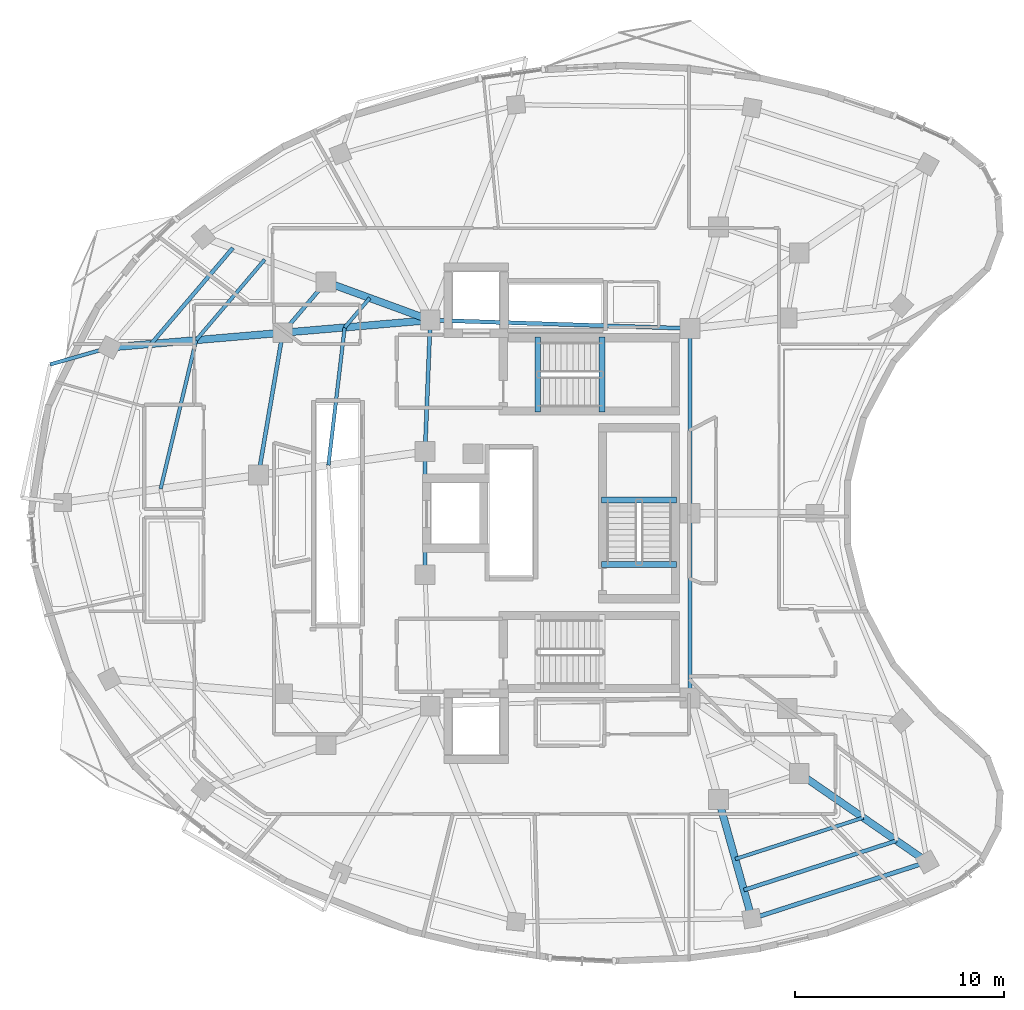
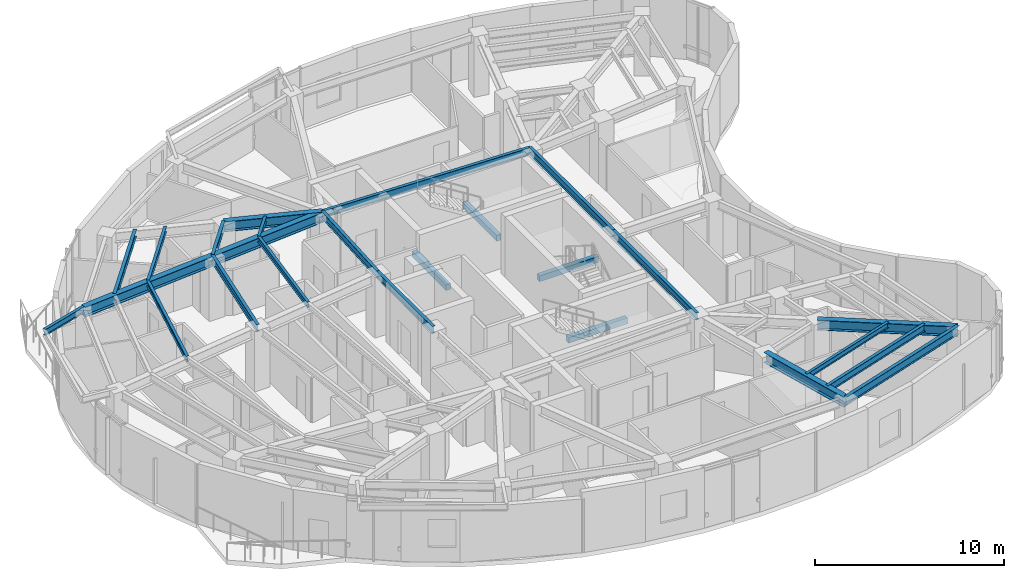
# One storey, part 3 of 14: 25 beams.
"""IFC4 building model written with IfcOpenShell, lengths in metres."""

from ifc_helpers import new_model, si_unit, direction, frame, origin, origin_2d, place, context, subcontext, project, spatial, rectangle, i_section, extrude, material, material_profile, profile_set, type_object, element, save


model = new_model("IFC4")

# Units and contexts
model_context = context("Model", 3, precision=1e-05, world=origin(), true_north=direction((0.0, 1.0)))
body_context = subcontext(model_context, "Body", "Model", "MODEL_VIEW")
ifc_project = project(units=[si_unit("LENGTHUNIT", "METRE"), si_unit("AREAUNIT", "SQUARE_METRE"), si_unit("VOLUMEUNIT", "CUBIC_METRE"), si_unit("PLANEANGLEUNIT", "RADIAN"), si_unit("MASSUNIT", "GRAM", prefix="KILO")], contexts=[model_context])

# Site, building, storey
site_placement = place(None, origin())
site = spatial("IfcSite", under=ifc_project, at=site_placement, CompositionType="ELEMENT")
building_placement = place(site_placement, origin())
building = spatial("IfcBuilding", under=site, at=building_placement, Name="Korentha Bioscience Tower", CompositionType="ELEMENT")
storey_placement = place(building_placement, frame((0.0, 0.0, 252.0)))
storey = spatial("IfcBuildingStorey", under=building, at=storey_placement, Name="L58", CompositionType="ELEMENT", Elevation=252.0)

# Beams
ifc_material_1 = material(Name="Concrete C50", Category="concrete")
ifc_material_profile_1 = material_profile(ifc_material_1, rectangle(XDim=0.280029296875, YDim=0.3798828125, at=origin_2d()), Name="Concrete C50")
ifc_profile_set_1 = profile_set([ifc_material_profile_1], Name="Concrete C50 (ST-HB380)")
beam_type_1 = type_object("IfcBeamType", Name="Concrete Stair Header Beam RC 280x380", PredefinedType="BEAM", material=ifc_profile_set_1)
for number, where, z_axis, x_axis, name in (
    (1, (30.25, 31.85009765625, -0.18994140625), (0.0, 1.0, 0.0), (-1.0, 0.0, 0.0), "L58 ST-1 Concrete Stair Header Beam"),
    (2, (33.330078125, 31.85009765625, 1.909912109375), (0.0, 1.0, 0.0), (-1.0, 0.0, 0.0), "L58 ST-1 Half-Landing Header Beam 1"),
    (3, (36.89990234375, 24.550048828125, -0.18994140625), (-1.0, 0.0, 0.0), (0.0, -1.0, 0.0), "L58 ST-3 Concrete Stair Header Beam"),
    (4, (36.89990234375, 27.6298828125, 1.909912109375), (-1.0, 0.0, 0.0), (0.0, -1.0, 0.0), "L58 ST-3 Half-Landing Header Beam 1"),
):
    element("IfcBeam", number, at=place(storey_placement, frame(where, z_axis=z_axis, x_axis=x_axis)), inside=storey, type_object=beam_type_1, Name=name, PredefinedType="BEAM", context=body_context, shape_type="SweptSolid", body=[
        extrude(rectangle(XDim=0.280029296875, YDim=0.3798828125, at=origin_2d()), origin(), (0.0, 0.0, 1.0), 3.599853515625),
    ])
ifc_material_2 = material(Name="Steel S355", Category="steel")
ifc_material_profile_2 = material_profile(ifc_material_2, i_section(OverallWidth=0.18994140625, OverallDepth=0.45703125, WebThickness=0.009033203125, FlangeThickness=0.014404296875, at=origin_2d()), Name="Steel S355")
ifc_profile_set_2 = profile_set([ifc_material_profile_2], Name="Steel S355 (MB-460)")
beam_type_2 = type_object("IfcBeamType", Name="Mid-Ring Tie Girder W460x74", PredefinedType="BEAM", material=ifc_profile_set_2)
beam_1_placement = place(storey_placement, frame((20.102294921875, 38.07861328125, 3.67138671875), z_axis=(-0.648477940418, -0.761233446974, 0.0), x_axis=(0.761233446974, -0.648477940418, 0.0)))
element("IfcBeam", 5, at=beam_1_placement, inside=storey, type_object=beam_type_2, Name="L58 Mid-Ring Tie Girder 05", PredefinedType="BEAM", context=body_context, shape_type="SweptSolid", body=[
    extrude(i_section(OverallWidth=0.18994140625, OverallDepth=0.45703125, WebThickness=0.009033203125, FlangeThickness=0.014404296875, at=origin_2d()), origin(), (0.0, 0.0, 1.0), 3.193603515625),
])
beam_2_placement = place(storey_placement, frame((18.03125, 35.6474609375, 3.67138671875), z_axis=(-0.168147535946, -0.985761840484, 0.0), x_axis=(0.985761840484, -0.168147535946, 0.0)))
element("IfcBeam", 6, at=beam_2_placement, inside=storey, type_object=beam_type_2, Name="L58 Mid-Ring Tie Girder 06", PredefinedType="BEAM", context=body_context, shape_type="SweptSolid", body=[
    extrude(i_section(OverallWidth=0.18994140625, OverallDepth=0.45703125, WebThickness=0.009033203125, FlangeThickness=0.014404296875, at=origin_2d()), origin(), (0.0, 0.0, 1.0), 6.91552734375),
])
beam_3_placement = place(storey_placement, frame((37.550048828125, 35.85009765625, 3.67138671875), z_axis=(-0.999484526071, 0.032104238723, 0.0), x_axis=(-0.032104238723, -0.999484526071, 0.0)))
element("IfcBeam", 7, at=beam_3_placement, inside=storey, type_object=beam_type_2, Name="L58 Core Ring Tie Girder 01", PredefinedType="BEAM", context=body_context, shape_type="SweptSolid", body=[
    extrude(i_section(OverallWidth=0.18994140625, OverallDepth=0.45703125, WebThickness=0.009033203125, FlangeThickness=0.014404296875, at=origin_2d()), origin(), (0.0, 0.0, 1.0), 12.456298828125),
])
beam_4_placement = place(storey_placement, frame((25.10009765625, 36.25, 3.67138671875), z_axis=(-0.039651025576, -0.999213588864, 0.0), x_axis=(0.999213588864, -0.039651025576, 0.0)))
element("IfcBeam", 8, at=beam_4_placement, inside=storey, type_object=beam_type_2, Name="L58 Core Ring Tie Girder 02", PredefinedType="BEAM", context=body_context, shape_type="SweptSolid", body=[
    extrude(i_section(OverallWidth=0.18994140625, OverallDepth=0.45703125, WebThickness=0.009033203125, FlangeThickness=0.014404296875, at=origin_2d()), origin(), (0.0, 0.0, 1.0), 6.304931640625),
])
beam_5_placement = place(storey_placement, frame((24.85009765625, 29.949951171875, 3.67138671875), z_axis=(0.0, -1.0, 0.0), x_axis=(1.0, 0.0, 0.0)))
element("IfcBeam", 9, at=beam_5_placement, inside=storey, type_object=beam_type_2, Name="L58 Core Ring Tie Girder 03", PredefinedType="BEAM", context=body_context, shape_type="SweptSolid", body=[
    extrude(i_section(OverallWidth=0.18994140625, OverallDepth=0.45703125, WebThickness=0.009033203125, FlangeThickness=0.014404296875, at=origin_2d()), origin(), (0.0, 0.0, 1.0), 5.89990234375),
])
for number, where, z_axis, x_axis, name in (
    (10, (37.550048828125, 18.14990234375, 3.67138671875), (0.0, 1.0, 0.0), (-1.0, 0.0, 0.0), "L58 Core Ring Tie Girder 06"),
    (11, (37.550048828125, 27.0, 3.67138671875), (0.0, 1.0, 0.0), (-1.0, 0.0, 0.0), "L58 Core Ring Tie Girder 07"),
):
    element("IfcBeam", number, at=place(storey_placement, frame(where, z_axis=z_axis, x_axis=x_axis)), inside=storey, type_object=beam_type_2, Name=name, PredefinedType="BEAM", context=body_context, shape_type="SweptSolid", body=[
        extrude(i_section(OverallWidth=0.18994140625, OverallDepth=0.45703125, WebThickness=0.009033203125, FlangeThickness=0.014404296875, at=origin_2d()), origin(), (0.0, 0.0, 1.0), 8.85009765625),
    ])
ifc_material_profile_3 = material_profile(ifc_material_2, i_section(OverallWidth=0.208984375, OverallDepth=0.532958984375, WebThickness=0.01025390625, FlangeThickness=0.015625, at=origin_2d()), Name="Steel S355")
ifc_profile_set_3 = profile_set([ifc_material_profile_3], Name="Steel S355 (SB-530)")
beam_type_3 = type_object("IfcBeamType", Name="Perimeter Ring Spandrel Girder W530x92", PredefinedType="SPANDREL", material=ifc_profile_set_3)
beam_6_placement = place(storey_placement, frame((40.5087890625, 7.576171875, 3.633544921875), z_axis=(0.951540431246, 0.307523670151, 0.0), x_axis=(-0.307523670151, 0.951540431246, 0.0)))
element("IfcBeam", 12, at=beam_6_placement, inside=storey, type_object=beam_type_3, Name="L58 Perimeter Spandrel Girder 12", PredefinedType="SPANDREL", context=body_context, shape_type="SweptSolid", body=[
    extrude(i_section(OverallWidth=0.208984375, OverallDepth=0.532958984375, WebThickness=0.01025390625, FlangeThickness=0.015625, at=origin_2d()), origin(), (0.0, 0.0, 1.0), 8.83203125),
])
ifc_material_profile_4 = material_profile(ifc_material_2, i_section(OverallWidth=0.18994140625, OverallDepth=0.45703125, WebThickness=0.009033203125, FlangeThickness=0.014404296875, at=origin_2d()), Name="Steel S355")
ifc_profile_set_4 = profile_set([ifc_material_profile_4], Name="Steel S355 (RB-460)")
beam_type_4 = type_object("IfcBeamType", Name="Radial Laboratory Beam W460x74", PredefinedType="BEAM", material=ifc_profile_set_4)
beam_7_placement = place(storey_placement, frame((15.643310546875, 39.710205078125, 3.67138671875), z_axis=(-0.64841269497, -0.761289023303, 0.0), x_axis=(0.761289023303, -0.64841269497, 0.0)))
element("IfcBeam", 13, at=beam_7_placement, inside=storey, type_object=beam_type_4, Name="L58 Secondary Floor Beam JSTO-05", PredefinedType="BEAM", context=body_context, shape_type="SweptSolid", body=[
    extrude(i_section(OverallWidth=0.18994140625, OverallDepth=0.45703125, WebThickness=0.009033203125, FlangeThickness=0.014404296875, at=origin_2d()), origin(), (0.0, 0.0, 1.0), 6.043212890625),
])
beam_8_placement = place(storey_placement, frame((40.12548828125, 8.946533203125, 3.67138671875), z_axis=(0.951530655781, 0.307553915777, 0.0), x_axis=(-0.307553915777, 0.951530655781, 0.0)))
element("IfcBeam", 14, at=beam_8_placement, inside=storey, type_object=beam_type_4, Name="L58 Secondary Floor Beam JSTO-12", PredefinedType="BEAM", context=body_context, shape_type="SweptSolid", body=[
    extrude(i_section(OverallWidth=0.18994140625, OverallDepth=0.45703125, WebThickness=0.009033203125, FlangeThickness=0.014404296875, at=origin_2d()), origin(), (0.0, 0.0, 1.0), 7.687255859375),
])
ifc_material_profile_5 = material_profile(ifc_material_2, i_section(OverallWidth=0.35009765625, OverallDepth=0.64990234375, WebThickness=0.01611328125, FlangeThickness=0.02490234375, at=origin_2d()), Name="Steel S355")
ifc_profile_set_5 = profile_set([ifc_material_profile_5], Name="Steel S355 (RB-650)")
beam_type_5 = type_object("IfcBeamType", Name="Radial Laboratory Girder CVS 650x208", PredefinedType="BEAM", material=ifc_profile_set_5)
beam_9_placement = place(storey_placement, frame((25.10009765625, 36.25, 3.574951171875), z_axis=(-0.939113825958, 0.34360620177, 0.0), x_axis=(-0.34360620177, -0.939113825958, 0.0)))
element("IfcBeam", 15, at=beam_9_placement, inside=storey, type_object=beam_type_5, Name="L58 Inner Radial Girder 05", PredefinedType="BEAM", context=body_context, shape_type="SweptSolid", body=[
    extrude(i_section(OverallWidth=0.35009765625, OverallDepth=0.64990234375, WebThickness=0.01611328125, FlangeThickness=0.02490234375, at=origin_2d()), origin(), (0.0, 0.0, 1.0), 5.32177734375),
])
beam_10_placement = place(storey_placement, frame((25.10009765625, 36.25, 3.574951171875), z_axis=(-0.996386862802, -0.084930675464, 0.0), x_axis=(0.084930675464, -0.996386862802, 0.0)))
element("IfcBeam", 16, at=beam_10_placement, inside=storey, type_object=beam_type_5, Name="L58 Inner Radial Girder 06", PredefinedType="BEAM", context=body_context, shape_type="SweptSolid", body=[
    extrude(i_section(OverallWidth=0.35009765625, OverallDepth=0.64990234375, WebThickness=0.01611328125, FlangeThickness=0.02490234375, at=origin_2d()), origin(), (0.0, 0.0, 1.0), 7.094482421875),
])
beam_11_placement = place(storey_placement, frame((18.03125, 35.6474609375, 3.574951171875), z_axis=(-0.996384608351, -0.084957120013, 0.0), x_axis=(0.084957120013, -0.996384608351, 0.0)))
element("IfcBeam", 17, at=beam_11_placement, inside=storey, type_object=beam_type_5, Name="L58 Outer Radial Girder 06", PredefinedType="BEAM", context=body_context, shape_type="SweptSolid", body=[
    extrude(i_section(OverallWidth=0.35009765625, OverallDepth=0.64990234375, WebThickness=0.01611328125, FlangeThickness=0.02490234375, at=origin_2d()), origin(), (0.0, 0.0, 1.0), 8.327880859375),
])
beam_12_placement = place(storey_placement, frame((38.9111328125, 13.285888671875, 3.574951171875), z_axis=(0.269463441067, -0.963010619842, 0.0), x_axis=(0.963010619842, 0.269463441067, 0.0)))
element("IfcBeam", 18, at=beam_12_placement, inside=storey, type_object=beam_type_5, Name="L58 Outer Radial Girder 12", PredefinedType="BEAM", context=body_context, shape_type="SweptSolid", body=[
    extrude(i_section(OverallWidth=0.35009765625, OverallDepth=0.64990234375, WebThickness=0.01611328125, FlangeThickness=0.02490234375, at=origin_2d()), origin(), (0.0, 0.0, 1.0), 5.928955078125),
])
beam_13_placement = place(storey_placement, frame((42.77685546875, 14.535400390625, 3.574951171875), z_axis=(0.822494853441, -0.568772552135, 0.0), x_axis=(0.568772552135, 0.822494853441, 0.0)))
element("IfcBeam", 19, at=beam_13_placement, inside=storey, type_object=beam_type_5, Name="L58 Outer Radial Girder 13", PredefinedType="BEAM", context=body_context, shape_type="SweptSolid", body=[
    extrude(i_section(OverallWidth=0.35009765625, OverallDepth=0.64990234375, WebThickness=0.01611328125, FlangeThickness=0.02490234375, at=origin_2d()), origin(), (0.0, 0.0, 1.0), 7.460205078125),
])
ifc_material_profile_6 = material_profile(ifc_material_2, i_section(OverallWidth=0.1708984375, OverallDepth=0.35498046875, WebThickness=0.007080078125, FlangeThickness=0.01171875, at=origin_2d()), Name="Steel S355")
ifc_profile_set_6 = profile_set([ifc_material_profile_6], Name="Steel S355 (JB-360)")
beam_type_6 = type_object("IfcBeamType", Name="Secondary Laboratory Joist W360x51", PredefinedType="JOIST", material=ifc_profile_set_6)
beam_14_placement = place(storey_placement, frame((17.168701171875, 39.152099609375, 3.722412109375), z_axis=(-0.648419930644, -0.761282860404, 0.0), x_axis=(0.761282860404, -0.648419930644, 0.0)))
element("IfcBeam", 20, at=beam_14_placement, inside=storey, type_object=beam_type_6, Name="L58 Secondary Floor Beam JST-05", PredefinedType="JOIST", context=body_context, shape_type="SweptSolid", body=[
    extrude(i_section(OverallWidth=0.1708984375, OverallDepth=0.35498046875, WebThickness=0.007080078125, FlangeThickness=0.01171875, at=origin_2d()), origin(), (0.0, 0.0, 1.0), 5.068359375),
])
beam_15_placement = place(storey_placement, frame((22.201416015625, 37.310546875, 3.722412109375), z_axis=(-0.648443825531, -0.761262507372, 0.0), x_axis=(0.761262507372, -0.648443825531, 0.0)))
element("IfcBeam", 21, at=beam_15_placement, inside=storey, type_object=beam_type_6, Name="L58 Inner Bay Joist 05", PredefinedType="JOIST", context=body_context, shape_type="SweptSolid", body=[
    extrude(i_section(OverallWidth=0.1708984375, OverallDepth=0.35498046875, WebThickness=0.007080078125, FlangeThickness=0.01171875, at=origin_2d()), origin(), (0.0, 0.0, 1.0), 1.852294921875),
])
beam_16_placement = place(storey_placement, frame((13.88232421875, 35.293701171875, 3.722412109375), z_axis=(-0.232060874358, -0.972701264825, 0.0), x_axis=(0.972701264825, -0.232060874358, 0.0)))
element("IfcBeam", 22, at=beam_16_placement, inside=storey, type_object=beam_type_6, Name="L58 Secondary Floor Beam JST-06", PredefinedType="JOIST", context=body_context, shape_type="SweptSolid", body=[
    extrude(i_section(OverallWidth=0.1708984375, OverallDepth=0.35498046875, WebThickness=0.007080078125, FlangeThickness=0.01171875, at=origin_2d()), origin(), (0.0, 0.0, 1.0), 7.3203125),
])
beam_17_placement = place(storey_placement, frame((21.000244140625, 35.900390625, 3.722412109375), z_axis=(-0.117299500462, -0.993096585027, 0.0), x_axis=(0.993096585027, -0.117299500462, 0.0)))
element("IfcBeam", 23, at=beam_17_placement, inside=storey, type_object=beam_type_6, Name="L58 Inner Bay Joist 06", PredefinedType="JOIST", context=body_context, shape_type="SweptSolid", body=[
    extrude(i_section(OverallWidth=0.1708984375, OverallDepth=0.35498046875, WebThickness=0.007080078125, FlangeThickness=0.01171875, at=origin_2d()), origin(), (0.0, 0.0, 1.0), 6.645751953125),
])
beam_18_placement = place(storey_placement, frame((39.7099609375, 10.430908203125, 3.722412109375), z_axis=(0.951532872692, 0.307547056867, 0.0), x_axis=(-0.307547056867, 0.951532872692, 0.0)))
element("IfcBeam", 24, at=beam_18_placement, inside=storey, type_object=beam_type_6, Name="L58 Secondary Floor Beam JST-12", PredefinedType="JOIST", context=body_context, shape_type="SweptSolid", body=[
    extrude(i_section(OverallWidth=0.1708984375, OverallDepth=0.35498046875, WebThickness=0.007080078125, FlangeThickness=0.01171875, at=origin_2d()), origin(), (0.0, 0.0, 1.0), 6.447509765625),
])
ifc_material_profile_7 = material_profile(ifc_material_2, i_section(OverallWidth=0.177978515625, OverallDepth=0.406982421875, WebThickness=0.0078125, FlangeThickness=0.0126953125, at=origin_2d()), Name="Steel S355")
ifc_profile_set_7 = profile_set([ifc_material_profile_7], Name="Steel S355 (CB-410)")
beam_type_7 = type_object("IfcBeamType", Name="Sun-Ledge Cantilever Beam W410x60", PredefinedType="BEAM", material=ifc_profile_set_7)
beam_19_placement = place(storey_placement, frame((9.7333984375, 34.93994140625, 3.698486328125), z_axis=(-0.961527061554, -0.274710228966, 0.0), x_axis=(0.274710228966, -0.961527061554, 0.0)))
element("IfcBeam", 25, at=beam_19_placement, inside=storey, type_object=beam_type_7, Name="L58 Balcony Cantilever Bracket A-L59-02", PredefinedType="BEAM", context=body_context, shape_type="SweptSolid", body=[
    extrude(i_section(OverallWidth=0.177978515625, OverallDepth=0.406982421875, WebThickness=0.0078125, FlangeThickness=0.0126953125, at=origin_2d()), origin(), (0.0, 0.0, 1.0), 2.95849609375),
])

save(model, "model.ifc")
